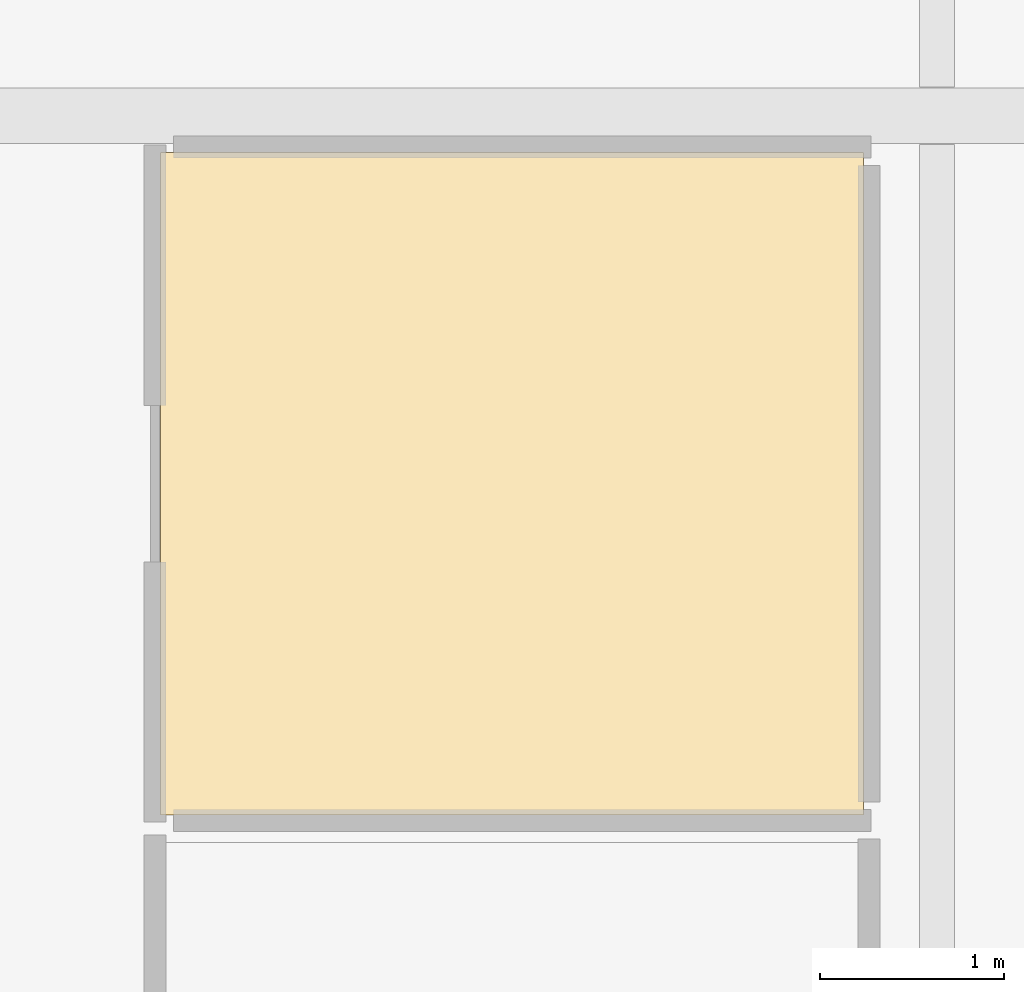
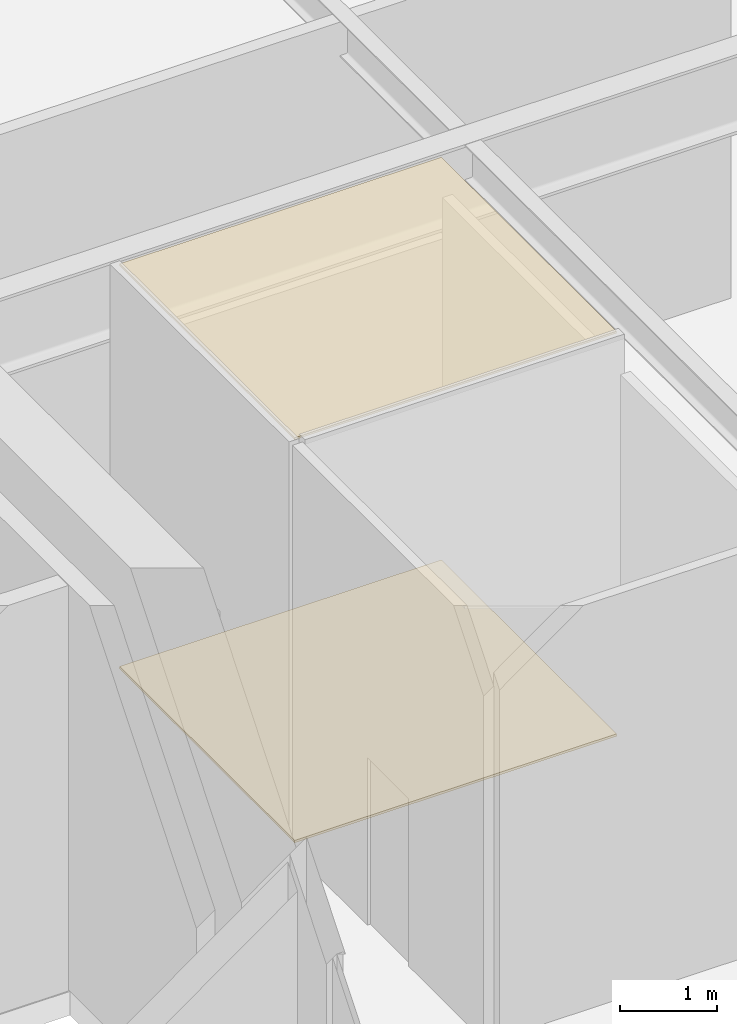
# One storey, part 24 of 24: 2 coverings.
"""IFC4 building model written with IfcOpenShell, lengths in metres."""

from ifc_helpers import new_model, si_unit, direction, frame, origin, place, context, subcontext, project, spatial, polyline, outline, extrude, material, layer, layer_set, type_object, element, save


model = new_model("IFC4")

# Units and contexts
model_context = context("Model", 3, precision=1e-05, world=origin(), true_north=direction((0.0, 1.0)))
body_context = subcontext(model_context, "Body", "Model", "MODEL_VIEW")
ifc_project = project(units=[si_unit("LENGTHUNIT", "METRE"), si_unit("AREAUNIT", "SQUARE_METRE"), si_unit("VOLUMEUNIT", "CUBIC_METRE"), si_unit("PLANEANGLEUNIT", "RADIAN"), si_unit("MASSUNIT", "GRAM", prefix="KILO")], contexts=[model_context])

# Site, building, storey
site_placement = place(None, origin())
site = spatial("IfcSite", under=ifc_project, at=site_placement, CompositionType="ELEMENT")
building_placement = place(site_placement, origin())
building = spatial("IfcBuilding", under=site, at=building_placement, Name="Nefas-Gora Pilgrimage Tower", CompositionType="ELEMENT")
storey_placement = place(building_placement, frame((0.0, 0.0, 6.0)))
storey = spatial("IfcBuildingStorey", under=building, at=storey_placement, Name="L01", CompositionType="ELEMENT", Elevation=6.0)

# Coverings
ifc_material_1 = material(Name="Perforated gypsum acoustic ceiling")
ifc_layer_1 = layer(ifc_material_1, 0.02490234375)
ifc_layer_set_1 = layer_set([ifc_layer_1], Name="Perforated gypsum acoustic ceiling")
covering_type_1 = type_object("IfcCoveringType", Name="COV-CEIL-ACOUST", PredefinedType="CEILING", material=ifc_layer_set_1)
covering_1_placement = place(storey_placement, frame((0.0, 0.0, 5.054931640625)))
element("IfcCovering", 1, at=covering_1_placement, inside=storey, type_object=covering_type_1, Name="L01 Acoustic Suspended Ceiling (L01 Podium Accessible WC)", PredefinedType="CEILING", context=body_context, shape_type="SweptSolid", body=[
    extrude(outline(polyline([(13.780029296875, 8.800048828125), (13.780029296875, 5.199951171875), (17.60009765625, 5.199951171875), (17.60009765625, 8.800048828125), (13.780029296875, 8.800048828125)])), origin(), (0.0, 0.0, 1.0), 0.025146484375),
])
ifc_material_2 = material(Name="Honed granite stone flooring", Category="masonry")
ifc_layer_2 = layer(ifc_material_2, 0.030029296875)
ifc_layer_set_2 = layer_set([ifc_layer_2], Name="Honed granite stone flooring")
covering_type_2 = type_object("IfcCoveringType", Name="COV-FLOR-GRAN", PredefinedType="FLOORING", material=ifc_layer_set_2)
covering_2_placement = place(storey_placement, origin())
element("IfcCovering", 2, at=covering_2_placement, inside=storey, type_object=covering_type_2, Name="L01 Honed Granite Flooring (L01 Podium Accessible WC)", PredefinedType="FLOORING", context=body_context, shape_type="SweptSolid", body=[
    extrude(outline(polyline([(13.780029296875, 8.800048828125), (13.780029296875, 5.199951171875), (17.60009765625, 5.199951171875), (17.60009765625, 8.800048828125), (13.780029296875, 8.800048828125)])), origin(), (0.0, 0.0, 1.0), 0.030029296875),
])

save(model, "model.ifc")
